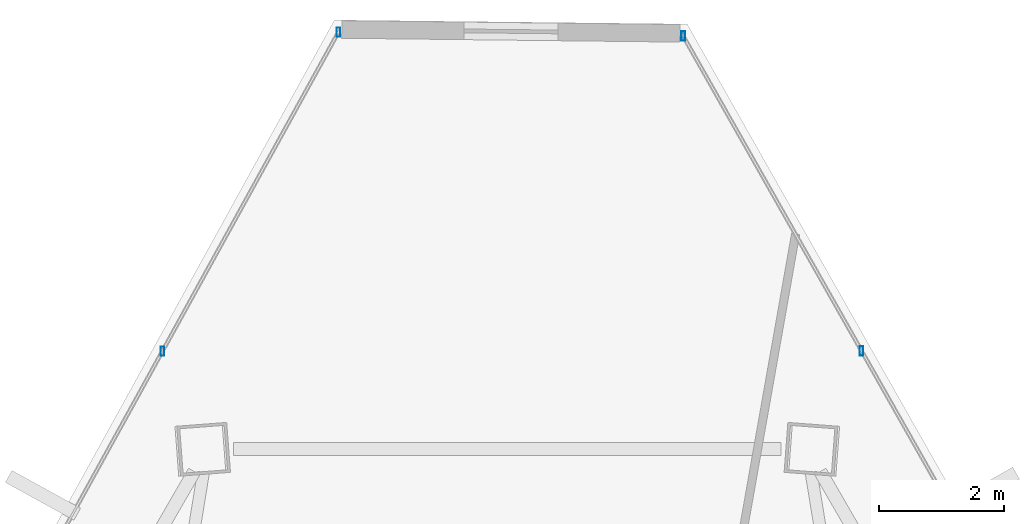
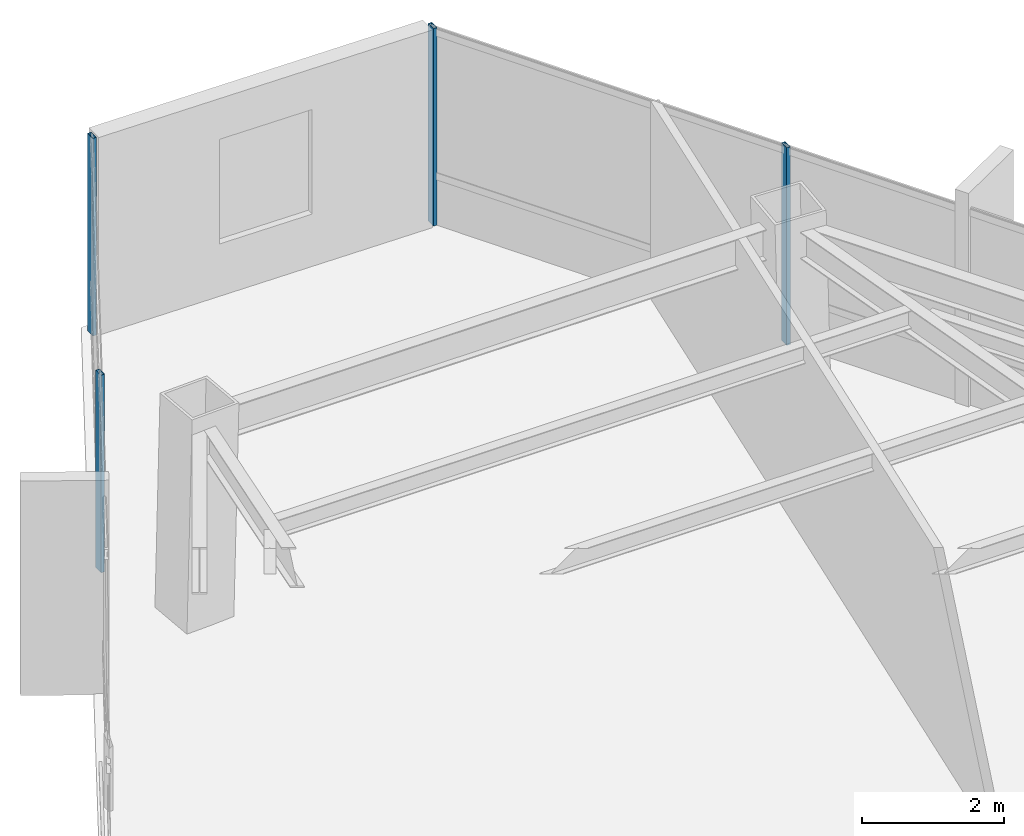
# One storey, part 31 of 40: 4 members, 2 elements without a shape of their own.
"""IFC4 building model written with IfcOpenShell, lengths in metres."""

from ifc_helpers import new_model, si_unit, direction, frame, origin, origin_2d, place, context, subcontext, project, spatial, hollow_rectangle, extrude, source, transform, mapped, material, material_profile, profile_set, type_object, type_shapes, element, aggregate, save


model = new_model("IFC4")

# Units and contexts
model_context = context("Model", 3, precision=1e-05, world=origin(), true_north=direction((0.0, 1.0)))
body_context = subcontext(model_context, "Body", "Model", "MODEL_VIEW")
ifc_project = project(units=[si_unit("LENGTHUNIT", "METRE"), si_unit("AREAUNIT", "SQUARE_METRE"), si_unit("VOLUMEUNIT", "CUBIC_METRE"), si_unit("PLANEANGLEUNIT", "RADIAN"), si_unit("MASSUNIT", "GRAM", prefix="KILO")], contexts=[model_context])

# Site, building, storey
site_placement = place(None, origin())
site = spatial("IfcSite", under=ifc_project, at=site_placement, CompositionType="ELEMENT")
building_placement = place(site_placement, origin())
building = spatial("IfcBuilding", under=site, at=building_placement, Name="Caelisora Broadcast Tower", CompositionType="ELEMENT")
storey_placement = place(building_placement, frame((0.0, 0.0, 213.25)))
storey = spatial("IfcBuildingStorey", under=building, at=storey_placement, Name="L56", CompositionType="ELEMENT", Elevation=213.25)

# Curtain wall, members
ifc_material_1 = material(Name="Unitised Aluminium and Low-E Glass Curtain Wall", Category="glass")
curtain_wall_type = type_object("IfcCurtainWallType", Name="CW-Z4", PredefinedType="NOTDEFINED", material=ifc_material_1)
curtain_wall_1_placement = place(storey_placement, origin())
curtain_wall_1 = element("IfcCurtainWall", 1, at=curtain_wall_1_placement, inside=storey, type_object=curtain_wall_type, Name="L56 curtain wall CW-Z4", PredefinedType="NOTDEFINED")
ifc_material_2 = material(Name="Aluminium 6063-T6 Anodised Terracotta Bronze", Category="aluminium")
ifc_material_profile = material_profile(ifc_material_2, hollow_rectangle(XDim=0.06005859375, YDim=0.14990234375, WallThickness=0.00341796875, at=origin_2d()), Name="Aluminium 6063-T6 Anodised Terracotta Bronze")
ifc_profile_set = profile_set([ifc_material_profile], Name="Aluminium 6063-T6 Anodised Terracotta Bronze")
member_type = type_object("IfcMemberType", Name="CWM-03", PredefinedType="MULLION", material=ifc_profile_set)
shared_shape = source(origin(), body_context, "Body", "SweptSolid", [
    extrude(hollow_rectangle(XDim=0.06005859375, YDim=0.14990234375, WallThickness=0.00341796875, at=origin_2d()), origin(), (0.0, 0.0, 1.0), 3.39990234375),
])
type_shapes(member_type, [shared_shape])
member_1_placement = place(storey_placement, frame((40.80859375, 53.197509765625, 0.0), z_axis=(0.0, 0.0, 1.0), x_axis=(1.0, 0.0, 0.0)))
member_1 = element("IfcMember", 2, at=member_1_placement, type_object=member_type, Name="L56-CW-B01 mullion #0", PredefinedType="MULLION", context=body_context, shape_type="MappedRepresentation", body=[
    mapped(shared_shape, transform((0.0, 0.0, 0.0), scale=1.0)),
])
member_2_placement = place(storey_placement, frame((43.65576171875, 48.17236328125, 0.0), z_axis=(0.0, 0.0, 1.0), x_axis=(1.0, 0.0, 0.0)))
member_2 = element("IfcMember", 3, at=member_2_placement, type_object=member_type, Name="L56-CW-B01 mullion #1", PredefinedType="MULLION", context=body_context, shape_type="MappedRepresentation", body=[
    mapped(shared_shape, transform((0.0, 0.0, 0.0), scale=1.0)),
])
aggregate(curtain_wall_1, [member_1, member_2])

curtain_wall_2_placement = place(storey_placement, origin())
curtain_wall_2 = element("IfcCurtainWall", 4, at=curtain_wall_2_placement, inside=storey, type_object=curtain_wall_type, Name="L56 curtain wall CW-Z4", PredefinedType="NOTDEFINED")
member_3_placement = place(storey_placement, frame((32.494873046875, 48.165771484375, 0.0), z_axis=(0.0, 0.0, 1.0), x_axis=(1.0, 0.0, 0.0)))
member_3 = element("IfcMember", 5, at=member_3_placement, type_object=member_type, Name="L56-CW-B11 mullion #2", PredefinedType="MULLION", context=body_context, shape_type="MappedRepresentation", body=[
    mapped(shared_shape, transform((0.0, 0.0, 0.0), scale=1.0)),
])
member_4_placement = place(storey_placement, frame((35.303955078125, 53.25927734375, 0.0), z_axis=(0.0, 0.0, 1.0), x_axis=(1.0, 0.0, 0.0)))
member_4 = element("IfcMember", 6, at=member_4_placement, type_object=member_type, Name="L56-CW-B11 mullion #3", PredefinedType="MULLION", context=body_context, shape_type="MappedRepresentation", body=[
    mapped(shared_shape, transform((0.0, 0.0, 0.0), scale=1.0)),
])
aggregate(curtain_wall_2, [member_3, member_4])

save(model, "model.ifc")
